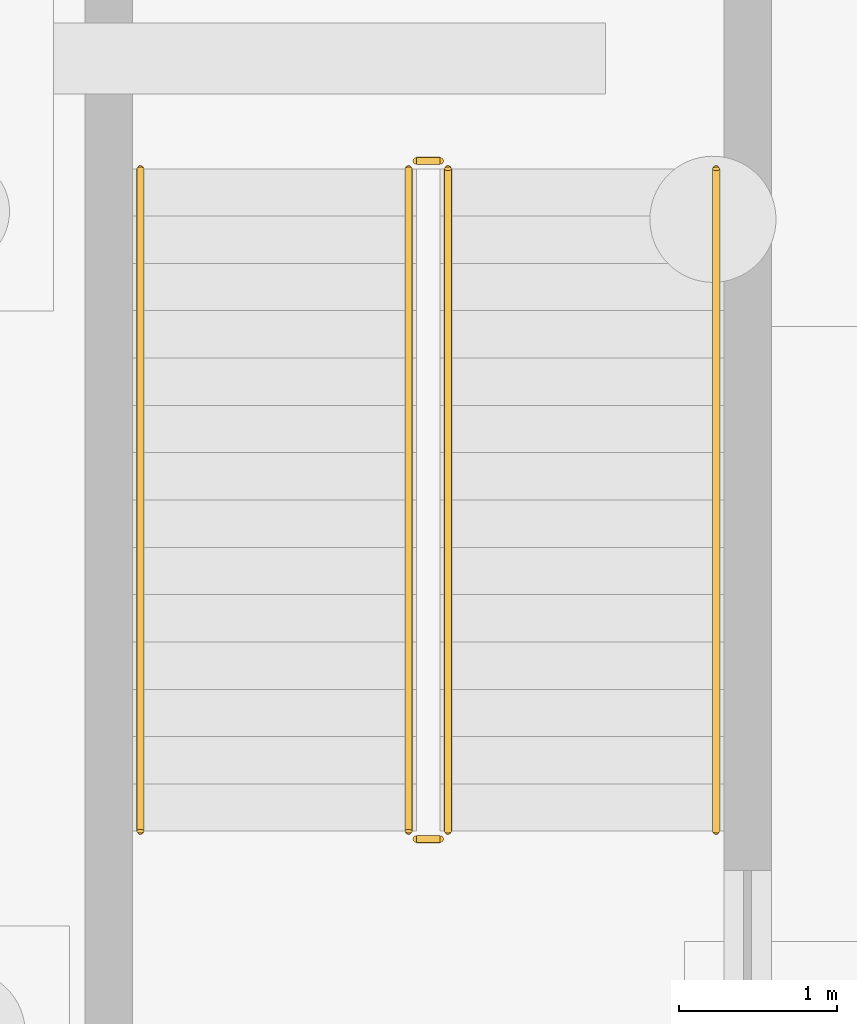
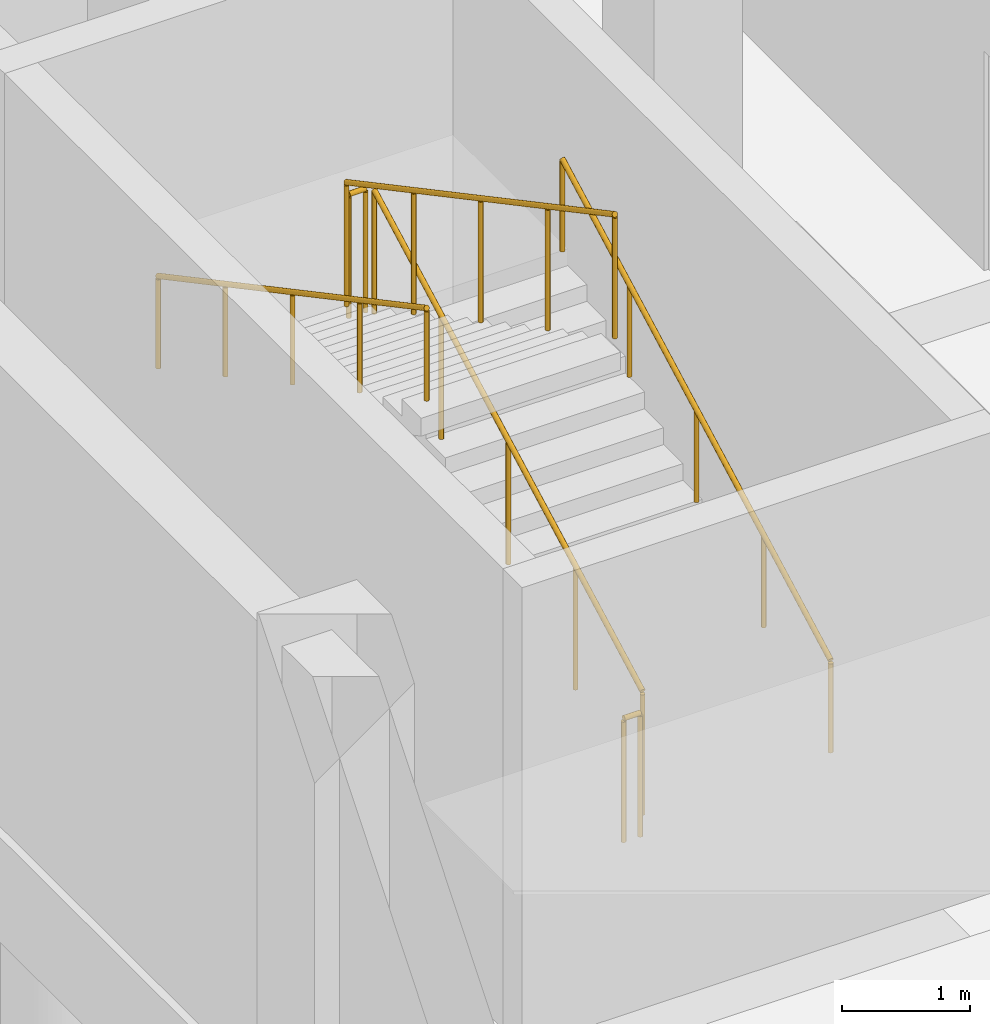
# One storey, part 35 of 38: 6 railings.
"""IFC4 building model written with IfcOpenShell, lengths in metres."""

from ifc_helpers import new_model, si_unit, direction, frame, origin, origin_2d, place, context, subcontext, project, spatial, circle, extrude, material, type_object, element, save


model = new_model("IFC4")

# Units and contexts
model_context = context("Model", 3, precision=1e-05, world=origin(), true_north=direction((0.0, 1.0)))
body_context = subcontext(model_context, "Body", "Model", "MODEL_VIEW")
ifc_project = project(units=[si_unit("LENGTHUNIT", "METRE"), si_unit("AREAUNIT", "SQUARE_METRE"), si_unit("VOLUMEUNIT", "CUBIC_METRE"), si_unit("PLANEANGLEUNIT", "RADIAN"), si_unit("MASSUNIT", "GRAM", prefix="KILO")], contexts=[model_context])

# Site, building, storey
site_placement = place(None, origin())
site = spatial("IfcSite", under=ifc_project, at=site_placement, CompositionType="ELEMENT")
building_placement = place(site_placement, origin())
building = spatial("IfcBuilding", under=site, at=building_placement, Name="Valkovuoma Quantum and Materials Research Institute", CompositionType="ELEMENT")
storey_placement = place(building_placement, frame((0.0, 0.0, -4.800048828125)))
storey = spatial("IfcBuildingStorey", under=building, at=storey_placement, Name="B1", CompositionType="ELEMENT", Elevation=-4.800048828125)

# Railings
ifc_material_1 = material(Name="Painted steel stair balustrade", Category="steel")
railing_type_1 = type_object("IfcRailingType", Name="Rail-GRD-ST", PredefinedType="BALUSTRADE", material=ifc_material_1)
railing_1_placement = place(storey_placement, frame((4.10009765625, 74.300048828125, 0.16015625)))
element("IfcRailing", 1, at=railing_1_placement, inside=storey, type_object=railing_type_1, Name="B1 ST-2 stair guard 1", PredefinedType="BALUSTRADE", context=body_context, shape_type="SweptSolid", body=[
    extrude(circle(Radius=0.02392578125, at=origin_2d()), frame((0.0, 0.0, 1.17578125), z_axis=(0.0, 0.882351521365, 0.470590897432), x_axis=(-1.0, 0.0, 0.0)), (0.0, 0.0, 1.0), 4.760009765625),
    extrude(circle(Radius=0.02099609375, at=origin_2d()), origin(), (0.0, 0.0, 1.0), 1.15185546875),
    extrude(circle(Radius=0.02099609375, at=origin_2d()), frame((0.0, 1.050048828125, 0.56005859375)), (0.0, 0.0, 1.0), 1.15185546875),
    extrude(circle(Radius=0.02099609375, at=origin_2d()), frame((0.0, 2.10009765625, 1.1201171875)), (0.0, 0.0, 1.0), 1.15185546875),
    extrude(circle(Radius=0.02099609375, at=origin_2d()), frame((0.0, 3.14990234375, 1.679931640625)), (0.0, 0.0, 1.0), 1.15185546875),
    extrude(circle(Radius=0.02099609375, at=origin_2d()), frame((0.0, 4.199951171875, 2.239990234375)), (0.0, 0.0, 1.0), 1.15185546875),
])
railing_2_placement = place(storey_placement, frame((4.050048828125, 78.550048828125, 2.400146484375)))
element("IfcRailing", 2, at=railing_2_placement, inside=storey, type_object=railing_type_1, Name="B1 ST-2 stair guard 2", PredefinedType="BALUSTRADE", context=body_context, shape_type="SweptSolid", body=[
    extrude(circle(Radius=0.02392578125, at=origin_2d()), frame((0.0, 0.0, 1.17578125), z_axis=(-1.0, 0.0, 0.0), x_axis=(0.0, -1.0, 0.0)), (0.0, 0.0, 1.0), 0.150146484375),
    extrude(circle(Radius=0.02099609375, at=origin_2d()), origin(), (0.0, 0.0, 1.0), 1.15185546875),
    extrude(circle(Radius=0.02099609375, at=origin_2d()), frame((-0.150146484375, 0.0, 0.0)), (0.0, 0.0, 1.0), 1.15185546875),
])
railing_3_placement = place(storey_placement, frame((3.85009765625, 78.5, 2.56005859375)))
element("IfcRailing", 3, at=railing_3_placement, inside=storey, type_object=railing_type_1, Name="B1 ST-2 stair guard 3", PredefinedType="BALUSTRADE", context=body_context, shape_type="SweptSolid", body=[
    extrude(circle(Radius=0.02392578125, at=origin_2d()), frame((0.0, 0.0, 1.17578125), z_axis=(0.0, -0.882351521365, 0.470590897432), x_axis=(1.0, 0.0, 0.0)), (0.0, 0.0, 1.0), 4.760009765625),
    extrude(circle(Radius=0.02099609375, at=origin_2d()), origin(), (0.0, 0.0, 1.0), 1.15185546875),
    extrude(circle(Radius=0.02099609375, at=origin_2d()), frame((0.0, -1.050048828125, 0.56005859375)), (0.0, 0.0, 1.0), 1.15185546875),
    extrude(circle(Radius=0.02099609375, at=origin_2d()), frame((0.0, -2.10009765625, 1.1201171875)), (0.0, 0.0, 1.0), 1.15185546875),
    extrude(circle(Radius=0.02099609375, at=origin_2d()), frame((0.0, -3.14990234375, 1.679931640625)), (0.0, 0.0, 1.0), 1.15185546875),
    extrude(circle(Radius=0.02099609375, at=origin_2d()), frame((0.0, -4.199951171875, 2.239990234375)), (0.0, 0.0, 1.0), 1.15185546875),
])
railing_4_placement = place(storey_placement, frame((4.050048828125, 74.25, 0.0)))
element("IfcRailing", 4, at=railing_4_placement, inside=storey, type_object=railing_type_1, Name="B1 ST-2 stair guard 4", PredefinedType="BALUSTRADE", context=body_context, shape_type="SweptSolid", body=[
    extrude(circle(Radius=0.02392578125, at=origin_2d()), frame((0.0, 0.0, 1.17578125), z_axis=(-1.0, 0.0, 0.0), x_axis=(0.0, -1.0, 0.0)), (0.0, 0.0, 1.0), 0.150146484375),
    extrude(circle(Radius=0.02099609375, at=origin_2d()), origin(), (0.0, 0.0, 1.0), 1.15185546875),
    extrude(circle(Radius=0.02099609375, at=origin_2d()), frame((-0.150146484375, 0.0, 0.0)), (0.0, 0.0, 1.0), 1.15185546875),
])
ifc_material_2 = material(Name="Brushed stainless steel handrail", Category="steel")
railing_type_2 = type_object("IfcRailingType", Name="Rail-HR-ST", PredefinedType="HANDRAIL", material=ifc_material_2)
railing_5_placement = place(storey_placement, frame((5.800048828125, 74.300048828125, 0.16015625)))
element("IfcRailing", 5, at=railing_5_placement, inside=storey, type_object=railing_type_2, Name="B1 ST-2 stair handrail 1", PredefinedType="HANDRAIL", context=body_context, shape_type="SweptSolid", body=[
    extrude(circle(Radius=0.02392578125, at=origin_2d()), frame((0.0, 0.0, 0.8759765625), z_axis=(0.0, 0.882351521365, 0.470590897432), x_axis=(-1.0, 0.0, 0.0)), (0.0, 0.0, 1.0), 4.760009765625),
    extrude(circle(Radius=0.02099609375, at=origin_2d()), origin(), (0.0, 0.0, 1.0), 0.851806640625),
    extrude(circle(Radius=0.02099609375, at=origin_2d()), frame((0.0, 1.050048828125, 0.56005859375)), (0.0, 0.0, 1.0), 0.851806640625),
    extrude(circle(Radius=0.02099609375, at=origin_2d()), frame((0.0, 2.10009765625, 1.1201171875)), (0.0, 0.0, 1.0), 0.851806640625),
    extrude(circle(Radius=0.02099609375, at=origin_2d()), frame((0.0, 3.14990234375, 1.679931640625)), (0.0, 0.0, 1.0), 0.851806640625),
    extrude(circle(Radius=0.02099609375, at=origin_2d()), frame((0.0, 4.199951171875, 2.239990234375)), (0.0, 0.0, 1.0), 0.851806640625),
])
railing_6_placement = place(storey_placement, frame((2.14990234375, 78.5, 2.56005859375)))
element("IfcRailing", 6, at=railing_6_placement, inside=storey, type_object=railing_type_2, Name="B1 ST-2 stair handrail 2", PredefinedType="HANDRAIL", context=body_context, shape_type="SweptSolid", body=[
    extrude(circle(Radius=0.02392578125, at=origin_2d()), frame((0.0, 0.0, 0.8759765625), z_axis=(0.0, -0.882351521365, 0.470590897432), x_axis=(1.0, 0.0, 0.0)), (0.0, 0.0, 1.0), 4.760009765625),
    extrude(circle(Radius=0.02099609375, at=origin_2d()), origin(), (0.0, 0.0, 1.0), 0.851806640625),
    extrude(circle(Radius=0.02099609375, at=origin_2d()), frame((0.0, -1.050048828125, 0.56005859375)), (0.0, 0.0, 1.0), 0.851806640625),
    extrude(circle(Radius=0.02099609375, at=origin_2d()), frame((0.0, -2.10009765625, 1.1201171875)), (0.0, 0.0, 1.0), 0.851806640625),
    extrude(circle(Radius=0.02099609375, at=origin_2d()), frame((0.0, -3.14990234375, 1.679931640625)), (0.0, 0.0, 1.0), 0.851806640625),
    extrude(circle(Radius=0.02099609375, at=origin_2d()), frame((0.0, -4.199951171875, 2.239990234375)), (0.0, 0.0, 1.0), 0.851806640625),
])

save(model, "model.ifc")
